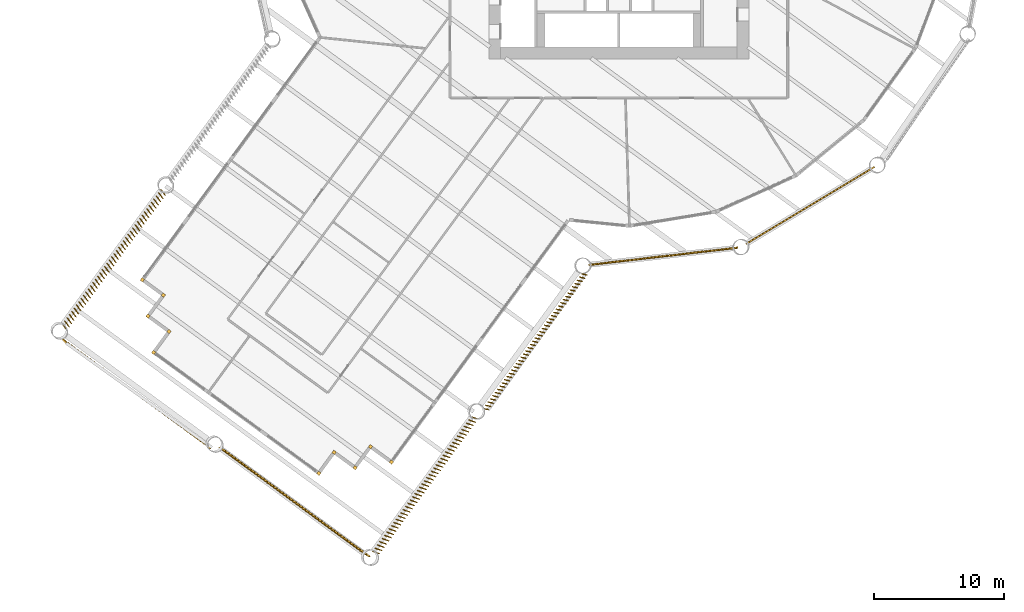
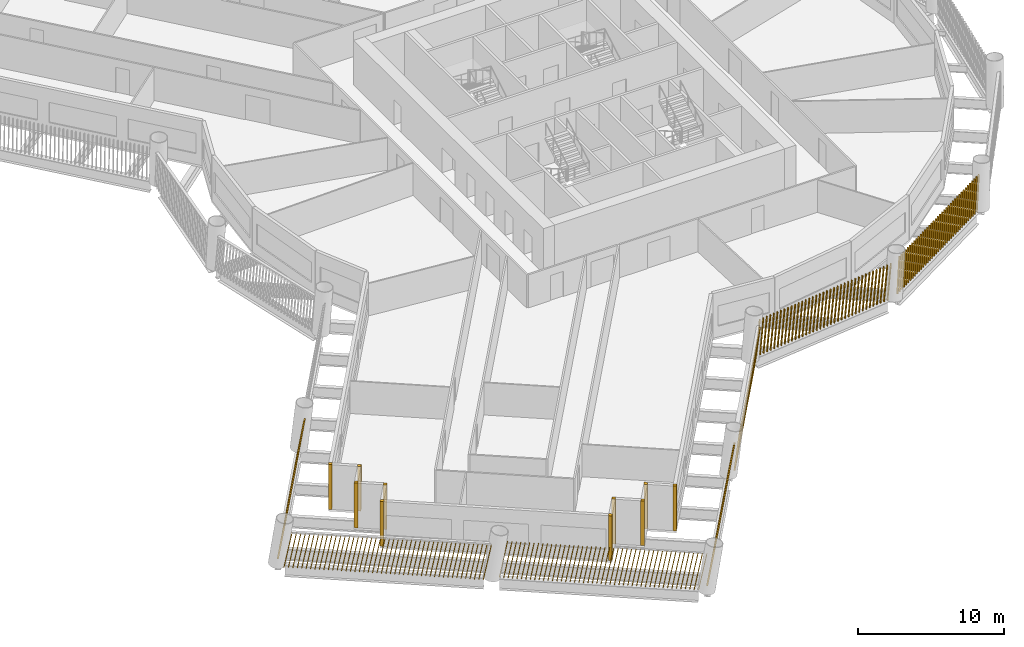
# One storey, part 11 of 15: 17 shading devices.
"""IFC4 building model written with IfcOpenShell, lengths in metres."""

from ifc_helpers import new_model, si_unit, direction, frame, frame_2d, origin, origin_2d, place, context, subcontext, project, spatial, rectangle, composite_profile, extrude, material, type_object, element, save


model = new_model("IFC4")

# Units and contexts
model_context = context("Model", 3, precision=1e-05, world=origin(), true_north=direction((0.0, 1.0)))
body_context = subcontext(model_context, "Body", "Model", "MODEL_VIEW")
ifc_project = project(units=[si_unit("LENGTHUNIT", "METRE"), si_unit("AREAUNIT", "SQUARE_METRE"), si_unit("VOLUMEUNIT", "CUBIC_METRE"), si_unit("PLANEANGLEUNIT", "RADIAN"), si_unit("MASSUNIT", "GRAM", prefix="KILO")], contexts=[model_context])

# Site, building, storey
site_placement = place(None, origin())
site = spatial("IfcSite", under=ifc_project, at=site_placement, CompositionType="ELEMENT")
building_placement = place(site_placement, origin())
building = spatial("IfcBuilding", under=site, at=building_placement, Name="Tarsis Ring Headquarters", CompositionType="ELEMENT")
storey_placement = place(building_placement, frame((0.0, 0.0, 43.89990234375)))
storey = spatial("IfcBuildingStorey", under=building, at=storey_placement, Name="L08", CompositionType="ELEMENT", Elevation=43.89990234375)

# Shading devices
ifc_material = material(Name="Terracotta baguette", Category="masonry")
shading_device_type_1 = type_object("IfcShadingDeviceType", Name="Terracotta baguette screen", PredefinedType="USERDEFINED", material=ifc_material)
shading_device_1_placement = place(storey_placement, frame((-35.211669921875, -23.051513671875, 0.0), z_axis=(0.0, 0.0, 1.0), x_axis=(-0.590599455041, -0.80695579776, 0.0)))
element("IfcShadingDevice", 1, at=shading_device_1_placement, inside=storey, type_object=shading_device_type_1, Name="Baguette screen L08-02", ObjectType="Terracotta baguette screen", PredefinedType="USERDEFINED", context=body_context, shape_type="SweptSolid", body=[
    extrude(composite_profile([rectangle(XDim=0.06005859375, YDim=0.1201171875, at=frame_2d((0.030029296875, 0.0))), rectangle(XDim=0.06005859375, YDim=0.1201171875, at=frame_2d((0.335693359375, 0.0))), rectangle(XDim=0.06005859375, YDim=0.1201171875, at=frame_2d((0.6416015625, 0.0))), rectangle(XDim=0.06005859375, YDim=0.1201171875, at=frame_2d((0.947265625, 0.0))), rectangle(XDim=0.06005859375, YDim=0.1201171875, at=frame_2d((1.253173828125, 0.0))), rectangle(XDim=0.06005859375, YDim=0.1201171875, at=frame_2d((1.558837890625, 0.0))), rectangle(XDim=0.06005859375, YDim=0.1201171875, at=frame_2d((1.864501953125, 0.0))), rectangle(XDim=0.06005859375, YDim=0.1201171875, at=frame_2d((2.17041015625, 0.0))), rectangle(XDim=0.06005859375, YDim=0.1201171875, at=frame_2d((2.47607421875, 0.0))), rectangle(XDim=0.06005859375, YDim=0.1201171875, at=frame_2d((2.781982421875, 0.0))), rectangle(XDim=0.06005859375, YDim=0.1201171875, at=frame_2d((3.087646484375, 0.0))), rectangle(XDim=0.06005859375, YDim=0.1201171875, at=frame_2d((3.393310546875, 0.0))), rectangle(XDim=0.06005859375, YDim=0.1201171875, at=frame_2d((3.69921875, 0.0))), rectangle(XDim=0.06005859375, YDim=0.1201171875, at=frame_2d((4.0048828125, 0.0))), rectangle(XDim=0.06005859375, YDim=0.1201171875, at=frame_2d((4.310791015625, 0.0))), rectangle(XDim=0.06005859375, YDim=0.1201171875, at=frame_2d((4.616455078125, 0.0))), rectangle(XDim=0.06005859375, YDim=0.1201171875, at=frame_2d((4.922119140625, 0.0))), rectangle(XDim=0.06005859375, YDim=0.1201171875, at=frame_2d((5.22802734375, 0.0))), rectangle(XDim=0.06005859375, YDim=0.1201171875, at=frame_2d((5.53369140625, 0.0))), rectangle(XDim=0.06005859375, YDim=0.1201171875, at=frame_2d((5.839599609375, 0.0))), rectangle(XDim=0.06005859375, YDim=0.1201171875, at=frame_2d((6.145263671875, 0.0))), rectangle(XDim=0.06005859375, YDim=0.1201171875, at=frame_2d((6.451171875, 0.0))), rectangle(XDim=0.06005859375, YDim=0.1201171875, at=frame_2d((6.7568359375, 0.0))), rectangle(XDim=0.06005859375, YDim=0.1201171875, at=frame_2d((7.0625, 0.0))), rectangle(XDim=0.06005859375, YDim=0.1201171875, at=frame_2d((7.368408203125, 0.0))), rectangle(XDim=0.06005859375, YDim=0.1201171875, at=frame_2d((7.674072265625, 0.0))), rectangle(XDim=0.06005859375, YDim=0.1201171875, at=frame_2d((7.97998046875, 0.0))), rectangle(XDim=0.06005859375, YDim=0.1201171875, at=frame_2d((8.28564453125, 0.0))), rectangle(XDim=0.06005859375, YDim=0.1201171875, at=frame_2d((8.59130859375, 0.0))), rectangle(XDim=0.06005859375, YDim=0.1201171875, at=frame_2d((8.897216796875, 0.0))), rectangle(XDim=0.06005859375, YDim=0.1201171875, at=frame_2d((9.202880859375, 0.0))), rectangle(XDim=0.06005859375, YDim=0.1201171875, at=frame_2d((9.5087890625, 0.0))), rectangle(XDim=0.06005859375, YDim=0.1201171875, at=frame_2d((9.814453125, 0.0))), rectangle(XDim=0.06005859375, YDim=0.1201171875, at=frame_2d((10.1201171875, 0.0))), rectangle(XDim=0.06005859375, YDim=0.1201171875, at=frame_2d((10.426025390625, 0.0))), rectangle(XDim=0.06005859375, YDim=0.1201171875, at=frame_2d((10.731689453125, 0.0))), rectangle(XDim=0.06005859375, YDim=0.1201171875, at=frame_2d((11.03759765625, 0.0))), rectangle(XDim=0.06005859375, YDim=0.1201171875, at=frame_2d((11.34326171875, 0.0))), rectangle(XDim=0.06005859375, YDim=0.1201171875, at=frame_2d((11.64892578125, 0.0))), rectangle(XDim=0.06005859375, YDim=0.1201171875, at=frame_2d((11.954833984375, 0.0))), rectangle(XDim=0.06005859375, YDim=0.1201171875, at=frame_2d((12.260498046875, 0.0))), rectangle(XDim=0.06005859375, YDim=0.1201171875, at=frame_2d((12.56640625, 0.0))), rectangle(XDim=0.06005859375, YDim=0.1201171875, at=frame_2d((12.8720703125, 0.0)))]), origin(), (0.050900109053, 0.160553641838, 0.985713805824), 2.995361328125),
])
shading_device_2_placement = place(storey_placement, frame((-42.945068359375, -34.46435546875, 0.0), z_axis=(0.0, 0.0, 1.0), x_axis=(0.806970367094, -0.590605926581, 0.0)))
element("IfcShadingDevice", 2, at=shading_device_2_placement, inside=storey, type_object=shading_device_type_1, Name="Baguette screen L08-03", ObjectType="Terracotta baguette screen", PredefinedType="USERDEFINED", context=body_context, shape_type="SweptSolid", body=[
    extrude(composite_profile([rectangle(XDim=0.06005859375, YDim=0.1201171875, at=frame_2d((0.030029296875, 0.0))), rectangle(XDim=0.06005859375, YDim=0.1201171875, at=frame_2d((0.33544921875, 0.0))), rectangle(XDim=0.06005859375, YDim=0.1201171875, at=frame_2d((0.640625, 0.0))), rectangle(XDim=0.06005859375, YDim=0.1201171875, at=frame_2d((0.946044921875, 0.0))), rectangle(XDim=0.06005859375, YDim=0.1201171875, at=frame_2d((1.25146484375, 0.0))), rectangle(XDim=0.06005859375, YDim=0.1201171875, at=frame_2d((1.556640625, 0.0))), rectangle(XDim=0.06005859375, YDim=0.1201171875, at=frame_2d((1.862060546875, 0.0))), rectangle(XDim=0.06005859375, YDim=0.1201171875, at=frame_2d((2.16748046875, 0.0))), rectangle(XDim=0.06005859375, YDim=0.1201171875, at=frame_2d((2.47265625, 0.0))), rectangle(XDim=0.06005859375, YDim=0.1201171875, at=frame_2d((2.778076171875, 0.0))), rectangle(XDim=0.06005859375, YDim=0.1201171875, at=frame_2d((3.08349609375, 0.0))), rectangle(XDim=0.06005859375, YDim=0.1201171875, at=frame_2d((3.388671875, 0.0))), rectangle(XDim=0.06005859375, YDim=0.1201171875, at=frame_2d((3.694091796875, 0.0))), rectangle(XDim=0.06005859375, YDim=0.1201171875, at=frame_2d((3.99951171875, 0.0))), rectangle(XDim=0.06005859375, YDim=0.1201171875, at=frame_2d((4.3046875, 0.0))), rectangle(XDim=0.06005859375, YDim=0.1201171875, at=frame_2d((4.610107421875, 0.0))), rectangle(XDim=0.06005859375, YDim=0.1201171875, at=frame_2d((4.91552734375, 0.0))), rectangle(XDim=0.06005859375, YDim=0.1201171875, at=frame_2d((5.220703125, 0.0))), rectangle(XDim=0.06005859375, YDim=0.1201171875, at=frame_2d((5.526123046875, 0.0))), rectangle(XDim=0.06005859375, YDim=0.1201171875, at=frame_2d((5.83154296875, 0.0))), rectangle(XDim=0.06005859375, YDim=0.1201171875, at=frame_2d((6.13671875, 0.0))), rectangle(XDim=0.06005859375, YDim=0.1201171875, at=frame_2d((6.442138671875, 0.0))), rectangle(XDim=0.06005859375, YDim=0.1201171875, at=frame_2d((6.74755859375, 0.0))), rectangle(XDim=0.06005859375, YDim=0.1201171875, at=frame_2d((7.052734375, 0.0))), rectangle(XDim=0.06005859375, YDim=0.1201171875, at=frame_2d((7.358154296875, 0.0))), rectangle(XDim=0.06005859375, YDim=0.1201171875, at=frame_2d((7.66357421875, 0.0))), rectangle(XDim=0.06005859375, YDim=0.1201171875, at=frame_2d((7.96875, 0.0))), rectangle(XDim=0.06005859375, YDim=0.1201171875, at=frame_2d((8.274169921875, 0.0))), rectangle(XDim=0.06005859375, YDim=0.1201171875, at=frame_2d((8.57958984375, 0.0))), rectangle(XDim=0.06005859375, YDim=0.1201171875, at=frame_2d((8.884765625, 0.0))), rectangle(XDim=0.06005859375, YDim=0.1201171875, at=frame_2d((9.190185546875, 0.0))), rectangle(XDim=0.06005859375, YDim=0.1201171875, at=frame_2d((9.49560546875, 0.0))), rectangle(XDim=0.06005859375, YDim=0.1201171875, at=frame_2d((9.80078125, 0.0))), rectangle(XDim=0.06005859375, YDim=0.1201171875, at=frame_2d((10.106201171875, 0.0))), rectangle(XDim=0.06005859375, YDim=0.1201171875, at=frame_2d((10.41162109375, 0.0))), rectangle(XDim=0.06005859375, YDim=0.1201171875, at=frame_2d((10.716796875, 0.0))), rectangle(XDim=0.06005859375, YDim=0.1201171875, at=frame_2d((11.022216796875, 0.0))), rectangle(XDim=0.06005859375, YDim=0.1201171875, at=frame_2d((11.32763671875, 0.0))), rectangle(XDim=0.06005859375, YDim=0.1201171875, at=frame_2d((11.6328125, 0.0))), rectangle(XDim=0.06005859375, YDim=0.1201171875, at=frame_2d((11.938232421875, 0.0))), rectangle(XDim=0.06005859375, YDim=0.1201171875, at=frame_2d((12.24365234375, 0.0))), rectangle(XDim=0.06005859375, YDim=0.1201171875, at=frame_2d((12.548828125, 0.0))), rectangle(XDim=0.06005859375, YDim=0.1201171875, at=frame_2d((12.854248046875, 0.0))), rectangle(XDim=0.06005859375, YDim=0.1201171875, at=frame_2d((13.15966796875, 0.0))), rectangle(XDim=0.06005859375, YDim=0.1201171875, at=frame_2d((13.46484375, 0.0))), rectangle(XDim=0.06005859375, YDim=0.1201171875, at=frame_2d((13.770263671875, 0.0)))]), origin(), (0.185397515959, -0.024812701057, 0.982350289328), 3.005615234375),
])
shading_device_3_placement = place(storey_placement, frame((-30.780517578125, -42.90283203125, 0.0), z_axis=(0.0, 0.0, 1.0), x_axis=(0.806952675807, -0.590605926581, 0.0)))
element("IfcShadingDevice", 3, at=shading_device_3_placement, inside=storey, type_object=shading_device_type_1, Name="Baguette screen L08-04", ObjectType="Terracotta baguette screen", PredefinedType="USERDEFINED", context=body_context, shape_type="SweptSolid", body=[
    extrude(composite_profile([rectangle(XDim=0.06005859375, YDim=0.1201171875, at=frame_2d((0.030029296875, 0.0))), rectangle(XDim=0.06005859375, YDim=0.1201171875, at=frame_2d((0.33544921875, 0.0))), rectangle(XDim=0.06005859375, YDim=0.1201171875, at=frame_2d((0.640625, 0.0))), rectangle(XDim=0.06005859375, YDim=0.1201171875, at=frame_2d((0.946044921875, 0.0))), rectangle(XDim=0.06005859375, YDim=0.1201171875, at=frame_2d((1.25146484375, 0.0))), rectangle(XDim=0.06005859375, YDim=0.1201171875, at=frame_2d((1.556640625, 0.0))), rectangle(XDim=0.06005859375, YDim=0.1201171875, at=frame_2d((1.862060546875, 0.0))), rectangle(XDim=0.06005859375, YDim=0.1201171875, at=frame_2d((2.16748046875, 0.0))), rectangle(XDim=0.06005859375, YDim=0.1201171875, at=frame_2d((2.47265625, 0.0))), rectangle(XDim=0.06005859375, YDim=0.1201171875, at=frame_2d((2.778076171875, 0.0))), rectangle(XDim=0.06005859375, YDim=0.1201171875, at=frame_2d((3.08349609375, 0.0))), rectangle(XDim=0.06005859375, YDim=0.1201171875, at=frame_2d((3.388671875, 0.0))), rectangle(XDim=0.06005859375, YDim=0.1201171875, at=frame_2d((3.694091796875, 0.0))), rectangle(XDim=0.06005859375, YDim=0.1201171875, at=frame_2d((3.99951171875, 0.0))), rectangle(XDim=0.06005859375, YDim=0.1201171875, at=frame_2d((4.3046875, 0.0))), rectangle(XDim=0.06005859375, YDim=0.1201171875, at=frame_2d((4.610107421875, 0.0))), rectangle(XDim=0.06005859375, YDim=0.1201171875, at=frame_2d((4.91552734375, 0.0))), rectangle(XDim=0.06005859375, YDim=0.1201171875, at=frame_2d((5.220703125, 0.0))), rectangle(XDim=0.06005859375, YDim=0.1201171875, at=frame_2d((5.526123046875, 0.0))), rectangle(XDim=0.06005859375, YDim=0.1201171875, at=frame_2d((5.83154296875, 0.0))), rectangle(XDim=0.06005859375, YDim=0.1201171875, at=frame_2d((6.13671875, 0.0))), rectangle(XDim=0.06005859375, YDim=0.1201171875, at=frame_2d((6.442138671875, 0.0))), rectangle(XDim=0.06005859375, YDim=0.1201171875, at=frame_2d((6.74755859375, 0.0))), rectangle(XDim=0.06005859375, YDim=0.1201171875, at=frame_2d((7.052734375, 0.0))), rectangle(XDim=0.06005859375, YDim=0.1201171875, at=frame_2d((7.358154296875, 0.0))), rectangle(XDim=0.06005859375, YDim=0.1201171875, at=frame_2d((7.66357421875, 0.0))), rectangle(XDim=0.06005859375, YDim=0.1201171875, at=frame_2d((7.96875, 0.0))), rectangle(XDim=0.06005859375, YDim=0.1201171875, at=frame_2d((8.274169921875, 0.0))), rectangle(XDim=0.06005859375, YDim=0.1201171875, at=frame_2d((8.57958984375, 0.0))), rectangle(XDim=0.06005859375, YDim=0.1201171875, at=frame_2d((8.884765625, 0.0))), rectangle(XDim=0.06005859375, YDim=0.1201171875, at=frame_2d((9.190185546875, 0.0))), rectangle(XDim=0.06005859375, YDim=0.1201171875, at=frame_2d((9.49560546875, 0.0))), rectangle(XDim=0.06005859375, YDim=0.1201171875, at=frame_2d((9.80078125, 0.0))), rectangle(XDim=0.06005859375, YDim=0.1201171875, at=frame_2d((10.106201171875, 0.0))), rectangle(XDim=0.06005859375, YDim=0.1201171875, at=frame_2d((10.41162109375, 0.0))), rectangle(XDim=0.06005859375, YDim=0.1201171875, at=frame_2d((10.716796875, 0.0))), rectangle(XDim=0.06005859375, YDim=0.1201171875, at=frame_2d((11.022216796875, 0.0))), rectangle(XDim=0.06005859375, YDim=0.1201171875, at=frame_2d((11.32763671875, 0.0))), rectangle(XDim=0.06005859375, YDim=0.1201171875, at=frame_2d((11.6328125, 0.0))), rectangle(XDim=0.06005859375, YDim=0.1201171875, at=frame_2d((11.938232421875, 0.0))), rectangle(XDim=0.06005859375, YDim=0.1201171875, at=frame_2d((12.24365234375, 0.0))), rectangle(XDim=0.06005859375, YDim=0.1201171875, at=frame_2d((12.548828125, 0.0))), rectangle(XDim=0.06005859375, YDim=0.1201171875, at=frame_2d((12.854248046875, 0.0))), rectangle(XDim=0.06005859375, YDim=0.1201171875, at=frame_2d((13.15966796875, 0.0))), rectangle(XDim=0.06005859375, YDim=0.1201171875, at=frame_2d((13.46484375, 0.0))), rectangle(XDim=0.06005859375, YDim=0.1201171875, at=frame_2d((13.770263671875, 0.0)))]), origin(), (0.183862871778, 0.026752149379, 0.98258779093), 3.0048828125),
])
shading_device_4_placement = place(storey_placement, frame((-18.945556640625, -50.945068359375, 0.0), z_axis=(0.0, 0.0, 1.0), x_axis=(0.590599455041, 0.80695579776, 0.0)))
element("IfcShadingDevice", 4, at=shading_device_4_placement, inside=storey, type_object=shading_device_type_1, Name="Baguette screen L08-05", ObjectType="Terracotta baguette screen", PredefinedType="USERDEFINED", context=body_context, shape_type="SweptSolid", body=[
    extrude(composite_profile([rectangle(XDim=0.06005859375, YDim=0.1201171875, at=frame_2d((0.030029296875, 0.0))), rectangle(XDim=0.06005859375, YDim=0.1201171875, at=frame_2d((0.335693359375, 0.0))), rectangle(XDim=0.06005859375, YDim=0.1201171875, at=frame_2d((0.6416015625, 0.0))), rectangle(XDim=0.06005859375, YDim=0.1201171875, at=frame_2d((0.947265625, 0.0))), rectangle(XDim=0.06005859375, YDim=0.1201171875, at=frame_2d((1.253173828125, 0.0))), rectangle(XDim=0.06005859375, YDim=0.1201171875, at=frame_2d((1.558837890625, 0.0))), rectangle(XDim=0.06005859375, YDim=0.1201171875, at=frame_2d((1.864501953125, 0.0))), rectangle(XDim=0.06005859375, YDim=0.1201171875, at=frame_2d((2.17041015625, 0.0))), rectangle(XDim=0.06005859375, YDim=0.1201171875, at=frame_2d((2.47607421875, 0.0))), rectangle(XDim=0.06005859375, YDim=0.1201171875, at=frame_2d((2.781982421875, 0.0))), rectangle(XDim=0.06005859375, YDim=0.1201171875, at=frame_2d((3.087646484375, 0.0))), rectangle(XDim=0.06005859375, YDim=0.1201171875, at=frame_2d((3.393310546875, 0.0))), rectangle(XDim=0.06005859375, YDim=0.1201171875, at=frame_2d((3.69921875, 0.0))), rectangle(XDim=0.06005859375, YDim=0.1201171875, at=frame_2d((4.0048828125, 0.0))), rectangle(XDim=0.06005859375, YDim=0.1201171875, at=frame_2d((4.310791015625, 0.0))), rectangle(XDim=0.06005859375, YDim=0.1201171875, at=frame_2d((4.616455078125, 0.0))), rectangle(XDim=0.06005859375, YDim=0.1201171875, at=frame_2d((4.922119140625, 0.0))), rectangle(XDim=0.06005859375, YDim=0.1201171875, at=frame_2d((5.22802734375, 0.0))), rectangle(XDim=0.06005859375, YDim=0.1201171875, at=frame_2d((5.53369140625, 0.0))), rectangle(XDim=0.06005859375, YDim=0.1201171875, at=frame_2d((5.839599609375, 0.0))), rectangle(XDim=0.06005859375, YDim=0.1201171875, at=frame_2d((6.145263671875, 0.0))), rectangle(XDim=0.06005859375, YDim=0.1201171875, at=frame_2d((6.451171875, 0.0))), rectangle(XDim=0.06005859375, YDim=0.1201171875, at=frame_2d((6.7568359375, 0.0))), rectangle(XDim=0.06005859375, YDim=0.1201171875, at=frame_2d((7.0625, 0.0))), rectangle(XDim=0.06005859375, YDim=0.1201171875, at=frame_2d((7.368408203125, 0.0))), rectangle(XDim=0.06005859375, YDim=0.1201171875, at=frame_2d((7.674072265625, 0.0))), rectangle(XDim=0.06005859375, YDim=0.1201171875, at=frame_2d((7.97998046875, 0.0))), rectangle(XDim=0.06005859375, YDim=0.1201171875, at=frame_2d((8.28564453125, 0.0))), rectangle(XDim=0.06005859375, YDim=0.1201171875, at=frame_2d((8.59130859375, 0.0))), rectangle(XDim=0.06005859375, YDim=0.1201171875, at=frame_2d((8.897216796875, 0.0))), rectangle(XDim=0.06005859375, YDim=0.1201171875, at=frame_2d((9.202880859375, 0.0))), rectangle(XDim=0.06005859375, YDim=0.1201171875, at=frame_2d((9.5087890625, 0.0))), rectangle(XDim=0.06005859375, YDim=0.1201171875, at=frame_2d((9.814453125, 0.0))), rectangle(XDim=0.06005859375, YDim=0.1201171875, at=frame_2d((10.1201171875, 0.0))), rectangle(XDim=0.06005859375, YDim=0.1201171875, at=frame_2d((10.426025390625, 0.0))), rectangle(XDim=0.06005859375, YDim=0.1201171875, at=frame_2d((10.731689453125, 0.0))), rectangle(XDim=0.06005859375, YDim=0.1201171875, at=frame_2d((11.03759765625, 0.0))), rectangle(XDim=0.06005859375, YDim=0.1201171875, at=frame_2d((11.34326171875, 0.0))), rectangle(XDim=0.06005859375, YDim=0.1201171875, at=frame_2d((11.64892578125, 0.0))), rectangle(XDim=0.06005859375, YDim=0.1201171875, at=frame_2d((11.954833984375, 0.0))), rectangle(XDim=0.06005859375, YDim=0.1201171875, at=frame_2d((12.260498046875, 0.0))), rectangle(XDim=0.06005859375, YDim=0.1201171875, at=frame_2d((12.56640625, 0.0))), rectangle(XDim=0.06005859375, YDim=0.1201171875, at=frame_2d((12.8720703125, 0.0)))]), origin(), (0.052578086063, -0.160012152624, 0.985713779897), 2.995361328125),
])
shading_device_5_placement = place(storey_placement, frame((-10.432373046875, -39.947998046875, 0.0), z_axis=(0.0, 0.0, 1.0), x_axis=(0.590599455041, 0.80695579776, 0.0)))
element("IfcShadingDevice", 5, at=shading_device_5_placement, inside=storey, type_object=shading_device_type_1, Name="Baguette screen L08-06", ObjectType="Terracotta baguette screen", PredefinedType="USERDEFINED", context=body_context, shape_type="SweptSolid", body=[
    extrude(composite_profile([rectangle(XDim=0.06005859375, YDim=0.1201171875, at=frame_2d((0.030029296875, 0.0))), rectangle(XDim=0.06005859375, YDim=0.1201171875, at=frame_2d((0.335693359375, 0.0))), rectangle(XDim=0.06005859375, YDim=0.1201171875, at=frame_2d((0.6416015625, 0.0))), rectangle(XDim=0.06005859375, YDim=0.1201171875, at=frame_2d((0.947265625, 0.0))), rectangle(XDim=0.06005859375, YDim=0.1201171875, at=frame_2d((1.253173828125, 0.0))), rectangle(XDim=0.06005859375, YDim=0.1201171875, at=frame_2d((1.558837890625, 0.0))), rectangle(XDim=0.06005859375, YDim=0.1201171875, at=frame_2d((1.864501953125, 0.0))), rectangle(XDim=0.06005859375, YDim=0.1201171875, at=frame_2d((2.17041015625, 0.0))), rectangle(XDim=0.06005859375, YDim=0.1201171875, at=frame_2d((2.47607421875, 0.0))), rectangle(XDim=0.06005859375, YDim=0.1201171875, at=frame_2d((2.781982421875, 0.0))), rectangle(XDim=0.06005859375, YDim=0.1201171875, at=frame_2d((3.087646484375, 0.0))), rectangle(XDim=0.06005859375, YDim=0.1201171875, at=frame_2d((3.393310546875, 0.0))), rectangle(XDim=0.06005859375, YDim=0.1201171875, at=frame_2d((3.69921875, 0.0))), rectangle(XDim=0.06005859375, YDim=0.1201171875, at=frame_2d((4.0048828125, 0.0))), rectangle(XDim=0.06005859375, YDim=0.1201171875, at=frame_2d((4.310791015625, 0.0))), rectangle(XDim=0.06005859375, YDim=0.1201171875, at=frame_2d((4.616455078125, 0.0))), rectangle(XDim=0.06005859375, YDim=0.1201171875, at=frame_2d((4.922119140625, 0.0))), rectangle(XDim=0.06005859375, YDim=0.1201171875, at=frame_2d((5.22802734375, 0.0))), rectangle(XDim=0.06005859375, YDim=0.1201171875, at=frame_2d((5.53369140625, 0.0))), rectangle(XDim=0.06005859375, YDim=0.1201171875, at=frame_2d((5.839599609375, 0.0))), rectangle(XDim=0.06005859375, YDim=0.1201171875, at=frame_2d((6.145263671875, 0.0))), rectangle(XDim=0.06005859375, YDim=0.1201171875, at=frame_2d((6.451171875, 0.0))), rectangle(XDim=0.06005859375, YDim=0.1201171875, at=frame_2d((6.7568359375, 0.0))), rectangle(XDim=0.06005859375, YDim=0.1201171875, at=frame_2d((7.0625, 0.0))), rectangle(XDim=0.06005859375, YDim=0.1201171875, at=frame_2d((7.368408203125, 0.0))), rectangle(XDim=0.06005859375, YDim=0.1201171875, at=frame_2d((7.674072265625, 0.0))), rectangle(XDim=0.06005859375, YDim=0.1201171875, at=frame_2d((7.97998046875, 0.0))), rectangle(XDim=0.06005859375, YDim=0.1201171875, at=frame_2d((8.28564453125, 0.0))), rectangle(XDim=0.06005859375, YDim=0.1201171875, at=frame_2d((8.59130859375, 0.0))), rectangle(XDim=0.06005859375, YDim=0.1201171875, at=frame_2d((8.897216796875, 0.0))), rectangle(XDim=0.06005859375, YDim=0.1201171875, at=frame_2d((9.202880859375, 0.0))), rectangle(XDim=0.06005859375, YDim=0.1201171875, at=frame_2d((9.5087890625, 0.0))), rectangle(XDim=0.06005859375, YDim=0.1201171875, at=frame_2d((9.814453125, 0.0))), rectangle(XDim=0.06005859375, YDim=0.1201171875, at=frame_2d((10.1201171875, 0.0))), rectangle(XDim=0.06005859375, YDim=0.1201171875, at=frame_2d((10.426025390625, 0.0))), rectangle(XDim=0.06005859375, YDim=0.1201171875, at=frame_2d((10.731689453125, 0.0))), rectangle(XDim=0.06005859375, YDim=0.1201171875, at=frame_2d((11.03759765625, 0.0))), rectangle(XDim=0.06005859375, YDim=0.1201171875, at=frame_2d((11.34326171875, 0.0))), rectangle(XDim=0.06005859375, YDim=0.1201171875, at=frame_2d((11.64892578125, 0.0))), rectangle(XDim=0.06005859375, YDim=0.1201171875, at=frame_2d((11.954833984375, 0.0))), rectangle(XDim=0.06005859375, YDim=0.1201171875, at=frame_2d((12.260498046875, 0.0))), rectangle(XDim=0.06005859375, YDim=0.1201171875, at=frame_2d((12.56640625, 0.0))), rectangle(XDim=0.06005859375, YDim=0.1201171875, at=frame_2d((12.8720703125, 0.0)))]), origin(), (0.053989114953, -0.112140599869, 0.992224602259), 2.975830078125),
])
shading_device_6_placement = place(storey_placement, frame((-2.32275390625, -28.853759765625, 0.0), z_axis=(0.0, 0.0, 1.0), x_axis=(0.993380358112, 0.114943027672, 0.0)))
element("IfcShadingDevice", 6, at=shading_device_6_placement, inside=storey, type_object=shading_device_type_1, Name="Baguette screen L08-07", ObjectType="Terracotta baguette screen", PredefinedType="USERDEFINED", context=body_context, shape_type="SweptSolid", body=[
    extrude(composite_profile([rectangle(XDim=0.06005859375, YDim=0.1201171875, at=frame_2d((0.030029296875, 0.0))), rectangle(XDim=0.06005859375, YDim=0.1201171875, at=frame_2d((0.33251953125, 0.0))), rectangle(XDim=0.06005859375, YDim=0.1201171875, at=frame_2d((0.634765625, 0.0))), rectangle(XDim=0.06005859375, YDim=0.1201171875, at=frame_2d((0.937255859375, 0.0))), rectangle(XDim=0.06005859375, YDim=0.1201171875, at=frame_2d((1.239501953125, 0.0))), rectangle(XDim=0.06005859375, YDim=0.1201171875, at=frame_2d((1.5419921875, 0.0))), rectangle(XDim=0.06005859375, YDim=0.1201171875, at=frame_2d((1.844482421875, 0.0))), rectangle(XDim=0.06005859375, YDim=0.1201171875, at=frame_2d((2.146728515625, 0.0))), rectangle(XDim=0.06005859375, YDim=0.1201171875, at=frame_2d((2.44921875, 0.0))), rectangle(XDim=0.06005859375, YDim=0.1201171875, at=frame_2d((2.751708984375, 0.0))), rectangle(XDim=0.06005859375, YDim=0.1201171875, at=frame_2d((3.053955078125, 0.0))), rectangle(XDim=0.06005859375, YDim=0.1201171875, at=frame_2d((3.3564453125, 0.0))), rectangle(XDim=0.06005859375, YDim=0.1201171875, at=frame_2d((3.65869140625, 0.0))), rectangle(XDim=0.06005859375, YDim=0.1201171875, at=frame_2d((3.961181640625, 0.0))), rectangle(XDim=0.06005859375, YDim=0.1201171875, at=frame_2d((4.263671875, 0.0))), rectangle(XDim=0.06005859375, YDim=0.1201171875, at=frame_2d((4.56591796875, 0.0))), rectangle(XDim=0.06005859375, YDim=0.1201171875, at=frame_2d((4.868408203125, 0.0))), rectangle(XDim=0.06005859375, YDim=0.1201171875, at=frame_2d((5.1708984375, 0.0))), rectangle(XDim=0.06005859375, YDim=0.1201171875, at=frame_2d((5.47314453125, 0.0))), rectangle(XDim=0.06005859375, YDim=0.1201171875, at=frame_2d((5.775634765625, 0.0))), rectangle(XDim=0.06005859375, YDim=0.1201171875, at=frame_2d((6.077880859375, 0.0))), rectangle(XDim=0.06005859375, YDim=0.1201171875, at=frame_2d((6.38037109375, 0.0))), rectangle(XDim=0.06005859375, YDim=0.1201171875, at=frame_2d((6.682861328125, 0.0))), rectangle(XDim=0.06005859375, YDim=0.1201171875, at=frame_2d((6.985107421875, 0.0))), rectangle(XDim=0.06005859375, YDim=0.1201171875, at=frame_2d((7.28759765625, 0.0))), rectangle(XDim=0.06005859375, YDim=0.1201171875, at=frame_2d((7.590087890625, 0.0))), rectangle(XDim=0.06005859375, YDim=0.1201171875, at=frame_2d((7.892333984375, 0.0))), rectangle(XDim=0.06005859375, YDim=0.1201171875, at=frame_2d((8.19482421875, 0.0))), rectangle(XDim=0.06005859375, YDim=0.1201171875, at=frame_2d((8.4970703125, 0.0))), rectangle(XDim=0.06005859375, YDim=0.1201171875, at=frame_2d((8.799560546875, 0.0))), rectangle(XDim=0.06005859375, YDim=0.1201171875, at=frame_2d((9.10205078125, 0.0))), rectangle(XDim=0.06005859375, YDim=0.1201171875, at=frame_2d((9.404296875, 0.0))), rectangle(XDim=0.06005859375, YDim=0.1201171875, at=frame_2d((9.706787109375, 0.0))), rectangle(XDim=0.06005859375, YDim=0.1201171875, at=frame_2d((10.00927734375, 0.0))), rectangle(XDim=0.06005859375, YDim=0.1201171875, at=frame_2d((10.3115234375, 0.0))), rectangle(XDim=0.06005859375, YDim=0.1201171875, at=frame_2d((10.614013671875, 0.0))), rectangle(XDim=0.06005859375, YDim=0.1201171875, at=frame_2d((10.916259765625, 0.0))), rectangle(XDim=0.06005859375, YDim=0.1201171875, at=frame_2d((11.21875, 0.0)))]), origin(), (0.100201689132, 0.000526340503, 0.99496700672), 2.967529296875),
])
shading_device_7_placement = place(storey_placement, frame((9.777099609375, -27.24609375, 0.0), z_axis=(0.0, 0.0, 1.0), x_axis=(0.857666847531, 0.51420510038, 0.0)))
element("IfcShadingDevice", 7, at=shading_device_7_placement, inside=storey, type_object=shading_device_type_1, Name="Baguette screen L08-08", ObjectType="Terracotta baguette screen", PredefinedType="USERDEFINED", context=body_context, shape_type="SweptSolid", body=[
    extrude(composite_profile([rectangle(XDim=0.06005859375, YDim=0.1201171875, at=frame_2d((0.030029296875, 0.0))), rectangle(XDim=0.06005859375, YDim=0.1201171875, at=frame_2d((0.33251953125, 0.0))), rectangle(XDim=0.06005859375, YDim=0.1201171875, at=frame_2d((0.634765625, 0.0))), rectangle(XDim=0.06005859375, YDim=0.1201171875, at=frame_2d((0.937255859375, 0.0))), rectangle(XDim=0.06005859375, YDim=0.1201171875, at=frame_2d((1.239501953125, 0.0))), rectangle(XDim=0.06005859375, YDim=0.1201171875, at=frame_2d((1.5419921875, 0.0))), rectangle(XDim=0.06005859375, YDim=0.1201171875, at=frame_2d((1.844482421875, 0.0))), rectangle(XDim=0.06005859375, YDim=0.1201171875, at=frame_2d((2.146728515625, 0.0))), rectangle(XDim=0.06005859375, YDim=0.1201171875, at=frame_2d((2.44921875, 0.0))), rectangle(XDim=0.06005859375, YDim=0.1201171875, at=frame_2d((2.751708984375, 0.0))), rectangle(XDim=0.06005859375, YDim=0.1201171875, at=frame_2d((3.053955078125, 0.0))), rectangle(XDim=0.06005859375, YDim=0.1201171875, at=frame_2d((3.3564453125, 0.0))), rectangle(XDim=0.06005859375, YDim=0.1201171875, at=frame_2d((3.65869140625, 0.0))), rectangle(XDim=0.06005859375, YDim=0.1201171875, at=frame_2d((3.961181640625, 0.0))), rectangle(XDim=0.06005859375, YDim=0.1201171875, at=frame_2d((4.263671875, 0.0))), rectangle(XDim=0.06005859375, YDim=0.1201171875, at=frame_2d((4.56591796875, 0.0))), rectangle(XDim=0.06005859375, YDim=0.1201171875, at=frame_2d((4.868408203125, 0.0))), rectangle(XDim=0.06005859375, YDim=0.1201171875, at=frame_2d((5.1708984375, 0.0))), rectangle(XDim=0.06005859375, YDim=0.1201171875, at=frame_2d((5.47314453125, 0.0))), rectangle(XDim=0.06005859375, YDim=0.1201171875, at=frame_2d((5.775634765625, 0.0))), rectangle(XDim=0.06005859375, YDim=0.1201171875, at=frame_2d((6.077880859375, 0.0))), rectangle(XDim=0.06005859375, YDim=0.1201171875, at=frame_2d((6.38037109375, 0.0))), rectangle(XDim=0.06005859375, YDim=0.1201171875, at=frame_2d((6.682861328125, 0.0))), rectangle(XDim=0.06005859375, YDim=0.1201171875, at=frame_2d((6.985107421875, 0.0))), rectangle(XDim=0.06005859375, YDim=0.1201171875, at=frame_2d((7.28759765625, 0.0))), rectangle(XDim=0.06005859375, YDim=0.1201171875, at=frame_2d((7.590087890625, 0.0))), rectangle(XDim=0.06005859375, YDim=0.1201171875, at=frame_2d((7.892333984375, 0.0))), rectangle(XDim=0.06005859375, YDim=0.1201171875, at=frame_2d((8.19482421875, 0.0))), rectangle(XDim=0.06005859375, YDim=0.1201171875, at=frame_2d((8.4970703125, 0.0))), rectangle(XDim=0.06005859375, YDim=0.1201171875, at=frame_2d((8.799560546875, 0.0))), rectangle(XDim=0.06005859375, YDim=0.1201171875, at=frame_2d((9.10205078125, 0.0))), rectangle(XDim=0.06005859375, YDim=0.1201171875, at=frame_2d((9.404296875, 0.0))), rectangle(XDim=0.06005859375, YDim=0.1201171875, at=frame_2d((9.706787109375, 0.0))), rectangle(XDim=0.06005859375, YDim=0.1201171875, at=frame_2d((10.00927734375, 0.0))), rectangle(XDim=0.06005859375, YDim=0.1201171875, at=frame_2d((10.3115234375, 0.0))), rectangle(XDim=0.06005859375, YDim=0.1201171875, at=frame_2d((10.614013671875, 0.0))), rectangle(XDim=0.06005859375, YDim=0.1201171875, at=frame_2d((10.916259765625, 0.0))), rectangle(XDim=0.06005859375, YDim=0.1201171875, at=frame_2d((11.21875, 0.0)))]), origin(), (0.100200270668, 0.000523428084, 0.994967151107), 2.967529296875),
])
shading_device_type_2 = type_object("IfcShadingDeviceType", Name="Terracotta corner baguette 250x250", PredefinedType="USERDEFINED", material=ifc_material)
for number, where, z_axis, x_axis, name in (
    (8, (-36.6767578125, -30.005859375, 0.0), (0.0, 0.0, 1.0), (-0.59060566762, -0.806960312144, 0.0), "Corner baguette L08-07"),
    (9, (-35.062744140625, -31.18701171875, 0.0), (0.0, 0.0, 1.0), (0.806960394608, -0.590605554947, 0.0), "Corner baguette L08-08"),
    (10, (-36.243896484375, -32.801025390625, 0.0), (0.0, 0.0, 1.0), (-0.590606033807, -0.806960044135, 0.0), "Corner baguette L08-09"),
    (11, (-34.630126953125, -33.982177734375, 0.0), (0.0, 0.0, 1.0), (0.80696028122, -0.590605709872, 0.0), "Corner baguette L08-10"),
    (12, (-35.811279296875, -35.59619140625, 0.0), (0.0, 0.0, 1.0), (-0.590605470442, -0.806960456456, 0.0), "Corner baguette L08-11"),
    (13, (-23.1015625, -44.898193359375, 0.0), (0.0, 0.0, 1.0), (0.80696033276, -0.590605639452, 0.0), "Corner baguette L08-12"),
    (14, (-21.92041015625, -43.2841796875, 0.0), (0.0, 0.0, 1.0), (0.590605709872, 0.80696028122, 0.0), "Corner baguette L08-13"),
    (15, (-20.306396484375, -44.465576171875, 0.0), (0.0, 0.0, 1.0), (0.806960219372, -0.590605794377, 0.0), "Corner baguette L08-14"),
    (16, (-19.125244140625, -42.8515625, 0.0), (0.0, 0.0, 1.0), (0.590605794377, 0.806960219372, 0.0), "Corner baguette L08-15"),
    (17, (-17.511474609375, -44.03271484375, 0.0), (0.0, 0.0, 1.0), (0.80696028122, -0.590605709872, 0.0), "Corner baguette L08-16"),
):
    element("IfcShadingDevice", number, at=place(storey_placement, frame(where, z_axis=z_axis, x_axis=x_axis)), inside=storey, type_object=shading_device_type_2, Name=name, ObjectType="Terracotta corner baguette", PredefinedType="USERDEFINED", context=body_context, shape_type="SweptSolid", body=[
        extrude(rectangle(XDim=0.25, YDim=0.25, at=origin_2d()), origin(), (0.0, 0.0, 1.0), 3.739990234375),
    ])

save(model, "model.ifc")
